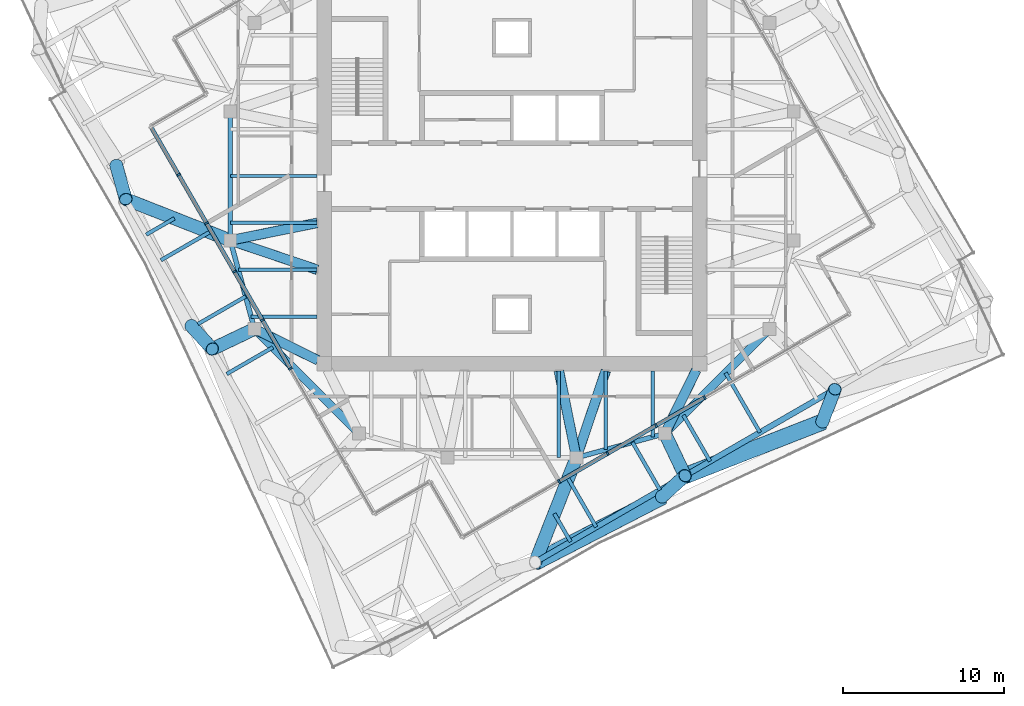
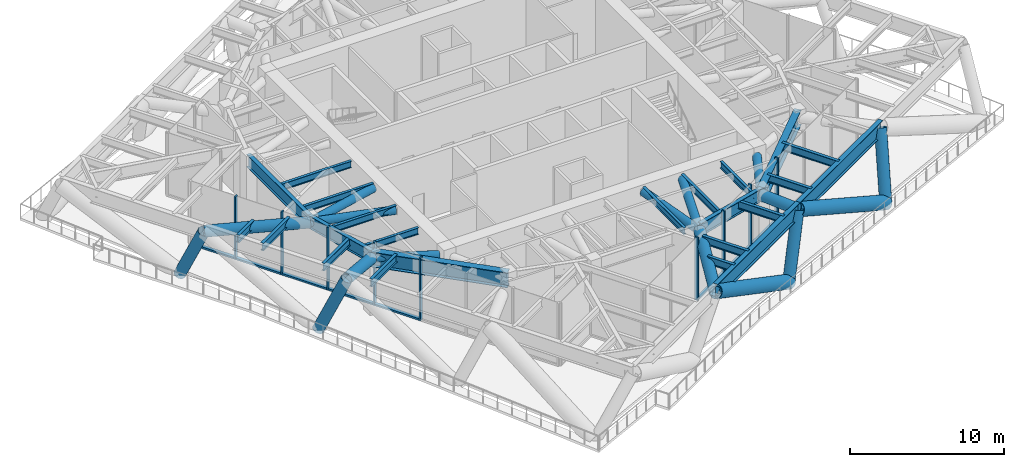
# One storey, part 2 of 12: 33 members, 23 beams, 2 elements without a shape of their own.
"""IFC4 building model written with IfcOpenShell, lengths in metres."""

from ifc_helpers import new_model, si_unit, direction, frame, origin, origin_2d, place, context, subcontext, project, spatial, rectangle, hollow_circle, i_section, extrude, material, material_profile, profile_set, type_object, element, aggregate, save


model = new_model("IFC4")

# Units and contexts
model_context = context("Model", 3, precision=1e-05, world=origin(), true_north=direction((0.0, 1.0)))
body_context = subcontext(model_context, "Body", "Model", "MODEL_VIEW")
ifc_project = project(units=[si_unit("LENGTHUNIT", "METRE"), si_unit("AREAUNIT", "SQUARE_METRE"), si_unit("VOLUMEUNIT", "CUBIC_METRE"), si_unit("PLANEANGLEUNIT", "RADIAN"), si_unit("MASSUNIT", "GRAM", prefix="KILO")], contexts=[model_context])

# Site, building, storey
site_placement = place(None, origin())
site = spatial("IfcSite", under=ifc_project, at=site_placement, CompositionType="ELEMENT")
building_placement = place(site_placement, origin())
building = spatial("IfcBuilding", under=site, at=building_placement, Name="Torsade Residences", CompositionType="ELEMENT")
storey_placement = place(building_placement, frame((0.0, 0.0, 203.199951171875)))
storey = spatial("IfcBuildingStorey", under=building, at=storey_placement, Name="L56", CompositionType="ELEMENT", Elevation=203.199951171875)

# Curtain wall, members
ifc_material_1 = material(Name="Aluminium and glass", Category="aluminium")
curtain_wall_type = type_object("IfcCurtainWallType", Name="TRANSFER LEVEL CURTAIN WALL HIGH ZONE", PredefinedType="NOTDEFINED", material=ifc_material_1)
curtain_wall_1_placement = place(storey_placement, origin())
curtain_wall_1 = element("IfcCurtainWall", 1, at=curtain_wall_1_placement, inside=storey, type_object=curtain_wall_type, Name="Curtain wall L56 face 1", PredefinedType="NOTDEFINED")
ifc_material_2 = material(Name="Aluminium mullion", Category="aluminium")
ifc_material_profile_1 = material_profile(ifc_material_2, rectangle(XDim=0.25, YDim=0.1201171875, at=origin_2d()), Name="HIGH ZONE TRANSFER CURTAIN WALL MULLION 250x120")
ifc_profile_set_1 = profile_set([ifc_material_profile_1], Name="Aluminium mullion")
member_type_1 = type_object("IfcMemberType", Name="HIGH ZONE TRANSFER CURTAIN WALL MULLION 250x120", PredefinedType="MULLION", material=ifc_profile_set_1)
member_1_placement = place(storey_placement, frame((42.93115234375, 11.023193359375, 0.0), z_axis=(0.0, 0.0, 1.0), x_axis=(-0.500000003507, 0.86602540176, 0.0)))
member_1 = element("IfcMember", 2, at=member_1_placement, type_object=member_type_1, Name="Mullion 3", PredefinedType="MULLION", context=body_context, shape_type="SweptSolid", body=[
    extrude(rectangle(XDim=0.25, YDim=0.1201171875, at=origin_2d()), origin(), (0.0, 0.0, 1.0), 5.0),
])
member_2_placement = place(storey_placement, frame((45.940673828125, 12.7607421875, 0.0), z_axis=(0.0, 0.0, 1.0), x_axis=(-0.500000003507, 0.86602540176, 0.0)))
member_2 = element("IfcMember", 3, at=member_2_placement, type_object=member_type_1, Name="Mullion 4", PredefinedType="MULLION", context=body_context, shape_type="SweptSolid", body=[
    extrude(rectangle(XDim=0.25, YDim=0.1201171875, at=origin_2d()), origin(), (0.0, 0.0, 1.0), 5.0),
])
member_3_placement = place(storey_placement, frame((48.949951171875, 14.498046875, 0.0), z_axis=(0.0, 0.0, 1.0), x_axis=(-0.500000003507, 0.86602540176, 0.0)))
member_3 = element("IfcMember", 4, at=member_3_placement, type_object=member_type_1, Name="Mullion 5", PredefinedType="MULLION", context=body_context, shape_type="SweptSolid", body=[
    extrude(rectangle(XDim=0.25, YDim=0.1201171875, at=origin_2d()), origin(), (0.0, 0.0, 1.0), 5.0),
])
member_4_placement = place(storey_placement, frame((51.95947265625, 16.235595703125, 0.0), z_axis=(0.0, 0.0, 1.0), x_axis=(-0.500000003507, 0.86602540176, 0.0)))
member_4 = element("IfcMember", 5, at=member_4_placement, type_object=member_type_1, Name="Mullion 6", PredefinedType="MULLION", context=body_context, shape_type="SweptSolid", body=[
    extrude(rectangle(XDim=0.25, YDim=0.1201171875, at=origin_2d()), origin(), (0.0, 0.0, 1.0), 5.0),
])

curtain_wall_2_placement = place(storey_placement, origin())
curtain_wall_2 = element("IfcCurtainWall", 6, at=curtain_wall_2_placement, inside=storey, type_object=curtain_wall_type, Name="Curtain wall L56 face 10", PredefinedType="NOTDEFINED")
member_5_placement = place(storey_placement, frame((19.28564453125, 30.078369140625, 0.0), z_axis=(0.0, 0.0, 1.0), x_axis=(0.86602540176, 0.500000003507, 0.0)))
member_5 = element("IfcMember", 7, at=member_5_placement, type_object=member_type_1, Name="Mullion 2", PredefinedType="MULLION", context=body_context, shape_type="SweptSolid", body=[
    extrude(rectangle(XDim=0.25, YDim=0.1201171875, at=origin_2d()), origin(), (0.0, 0.0, 1.0), 5.0),
])
member_6_placement = place(storey_placement, frame((21.023193359375, 27.06884765625, 0.0), z_axis=(0.0, 0.0, 1.0), x_axis=(0.86602540176, 0.500000003507, 0.0)))
member_6 = element("IfcMember", 8, at=member_6_placement, type_object=member_type_1, Name="Mullion 3", PredefinedType="MULLION", context=body_context, shape_type="SweptSolid", body=[
    extrude(rectangle(XDim=0.25, YDim=0.1201171875, at=origin_2d()), origin(), (0.0, 0.0, 1.0), 5.0),
])
member_7_placement = place(storey_placement, frame((22.7607421875, 24.059326171875, 0.0), z_axis=(0.0, 0.0, 1.0), x_axis=(0.86602540176, 0.500000003507, 0.0)))
member_7 = element("IfcMember", 9, at=member_7_placement, type_object=member_type_1, Name="Mullion 4", PredefinedType="MULLION", context=body_context, shape_type="SweptSolid", body=[
    extrude(rectangle(XDim=0.25, YDim=0.1201171875, at=origin_2d()), origin(), (0.0, 0.0, 1.0), 5.0),
])
member_8_placement = place(storey_placement, frame((24.498046875, 21.050048828125, 0.0), z_axis=(0.0, 0.0, 1.0), x_axis=(0.86602540176, 0.500000003507, 0.0)))
member_8 = element("IfcMember", 10, at=member_8_placement, type_object=member_type_1, Name="Mullion 5", PredefinedType="MULLION", context=body_context, shape_type="SweptSolid", body=[
    extrude(rectangle(XDim=0.25, YDim=0.1201171875, at=origin_2d()), origin(), (0.0, 0.0, 1.0), 5.0),
])
member_9_placement = place(storey_placement, frame((26.235595703125, 18.04052734375, 0.0), z_axis=(0.0, 0.0, 1.0), x_axis=(0.86602540176, 0.500000003507, 0.0)))
member_9 = element("IfcMember", 11, at=member_9_placement, type_object=member_type_1, Name="Mullion 6", PredefinedType="MULLION", context=body_context, shape_type="SweptSolid", body=[
    extrude(rectangle(XDim=0.25, YDim=0.1201171875, at=origin_2d()), origin(), (0.0, 0.0, 1.0), 5.0),
])

# Member
ifc_material_3 = material(Name="Aluminium transom", Category="aluminium")
ifc_material_profile_2 = material_profile(ifc_material_3, rectangle(XDim=0.25, YDim=0.139892578125, at=origin_2d()), Name="HIGH ZONE TRANSFER CURTAIN WALL TRANSOM 250x140")
ifc_profile_set_2 = profile_set([ifc_material_profile_2], Name="Aluminium transom")
member_type_2 = type_object("IfcMemberType", Name="HIGH ZONE TRANSFER CURTAIN WALL TRANSOM 250x140", PredefinedType="USERDEFINED", material=ifc_profile_set_2)
member_10_placement = place(storey_placement, frame((42.983154296875, 11.05322265625, 0.070068359375), z_axis=(0.866026839176, 0.499997513821, 0.0), x_axis=(-0.499997513821, 0.866026839176, 0.0)))
member_10 = element("IfcMember", 12, at=member_10_placement, type_object=member_type_2, Name="Transom 3.1", ObjectType="TRANSOM", PredefinedType="USERDEFINED", context=body_context, shape_type="SweptSolid", body=[
    extrude(rectangle(XDim=0.25, YDim=0.139892578125, at=origin_2d()), origin(), (0.0, 0.0, 1.0), 3.35498046875),
])

member_11_placement = place(storey_placement, frame((45.992431640625, 12.79052734375, 0.070068359375), z_axis=(0.865995328698, 0.50005208796, 0.0), x_axis=(-0.50005208796, 0.865995328698, 0.0)))
member_11 = element("IfcMember", 13, at=member_11_placement, type_object=member_type_2, Name="Transom 4.1", ObjectType="TRANSOM", PredefinedType="USERDEFINED", context=body_context, shape_type="SweptSolid", body=[
    extrude(rectangle(XDim=0.25, YDim=0.139892578125, at=origin_2d()), origin(), (0.0, 0.0, 1.0), 3.355224609375),
])

member_12_placement = place(storey_placement, frame((49.001953125, 14.528076171875, 0.070068359375), z_axis=(0.866026839176, 0.499997513821, 0.0), x_axis=(-0.499997513821, 0.866026839176, 0.0)))
member_12 = element("IfcMember", 14, at=member_12_placement, type_object=member_type_2, Name="Transom 5.1", ObjectType="TRANSOM", PredefinedType="USERDEFINED", context=body_context, shape_type="SweptSolid", body=[
    extrude(rectangle(XDim=0.25, YDim=0.139892578125, at=origin_2d()), origin(), (0.0, 0.0, 1.0), 3.35498046875),
])

aggregate(curtain_wall_1, [member_1, member_2, member_3, member_4, member_10, member_11, member_12])

member_13_placement = place(storey_placement, frame((17.608154296875, 32.98388671875, 0.070068359375), z_axis=(0.499996112969, -0.866027647951, 0.0), x_axis=(0.866027647951, 0.499996112969, 0.0)))
member_13 = element("IfcMember", 15, at=member_13_placement, type_object=member_type_2, Name="Transom 1.1", ObjectType="TRANSOM", PredefinedType="USERDEFINED", context=body_context, shape_type="SweptSolid", body=[
    extrude(rectangle(XDim=0.25, YDim=0.139892578125, at=origin_2d()), origin(), (0.0, 0.0, 1.0), 3.294921875),
])

member_14_placement = place(storey_placement, frame((19.315673828125, 30.0263671875, 0.070068359375), z_axis=(0.499997513821, -0.866026839176, 0.0), x_axis=(0.866026839176, 0.499997513821, 0.0)))
member_14 = element("IfcMember", 16, at=member_14_placement, type_object=member_type_2, Name="Transom 2.1", ObjectType="TRANSOM", PredefinedType="USERDEFINED", context=body_context, shape_type="SweptSolid", body=[
    extrude(rectangle(XDim=0.25, YDim=0.139892578125, at=origin_2d()), origin(), (0.0, 0.0, 1.0), 3.35498046875),
])

member_15_placement = place(storey_placement, frame((21.05322265625, 27.016845703125, 0.070068359375), z_axis=(0.499997513821, -0.866026839176, 0.0), x_axis=(0.866026839176, 0.499997513821, 0.0)))
member_15 = element("IfcMember", 17, at=member_15_placement, type_object=member_type_2, Name="Transom 3.1", ObjectType="TRANSOM", PredefinedType="USERDEFINED", context=body_context, shape_type="SweptSolid", body=[
    extrude(rectangle(XDim=0.25, YDim=0.139892578125, at=origin_2d()), origin(), (0.0, 0.0, 1.0), 3.35498046875),
])

member_16_placement = place(storey_placement, frame((22.79052734375, 24.007568359375, 0.070068359375), z_axis=(0.50005208796, -0.865995328698, 0.0), x_axis=(0.865995328698, 0.50005208796, 0.0)))
member_16 = element("IfcMember", 18, at=member_16_placement, type_object=member_type_2, Name="Transom 4.1", ObjectType="TRANSOM", PredefinedType="USERDEFINED", context=body_context, shape_type="SweptSolid", body=[
    extrude(rectangle(XDim=0.25, YDim=0.139892578125, at=origin_2d()), origin(), (0.0, 0.0, 1.0), 3.355224609375),
])

member_17_placement = place(storey_placement, frame((24.528076171875, 20.998046875, 0.070068359375), z_axis=(0.499997513821, -0.866026839176, 0.0), x_axis=(0.866026839176, 0.499997513821, 0.0)))
member_17 = element("IfcMember", 19, at=member_17_placement, type_object=member_type_2, Name="Transom 5.1", ObjectType="TRANSOM", PredefinedType="USERDEFINED", context=body_context, shape_type="SweptSolid", body=[
    extrude(rectangle(XDim=0.25, YDim=0.139892578125, at=origin_2d()), origin(), (0.0, 0.0, 1.0), 3.35498046875),
])

aggregate(curtain_wall_2, [member_5, member_6, member_7, member_8, member_9, member_13, member_14, member_15, member_16, member_17])

# Beams
ifc_material_4 = material(Name="Steel grade 300", Category="steel")
ifc_material_profile_3 = material_profile(ifc_material_4, i_section(OverallWidth=0.208984375, OverallDepth=0.528076171875, WebThickness=0.009521484375, FlangeThickness=0.01318359375, FilletRadius=0.013916015625, at=origin_2d()), Name="530UB82.0")
ifc_profile_set_3 = profile_set([ifc_material_profile_3], Name="Steel grade 300")
beam_type_1 = type_object("IfcBeamType", Name="INNER FLOOR BEAM 530UB82.0", PredefinedType="JOIST", material=ifc_profile_set_3)
beam_1_placement = place(storey_placement, frame((48.737548828125, 17.89990234375, 4.5859375), z_axis=(0.0, -1.0, 0.0), x_axis=(1.0, 0.0, 0.0)))
element("IfcBeam", 20, at=beam_1_placement, inside=storey, type_object=beam_type_1, Name="Inner floor beam IS01 L57", PredefinedType="JOIST", context=body_context, shape_type="SweptSolid", body=[
    extrude(i_section(OverallWidth=0.208984375, OverallDepth=0.528076171875, WebThickness=0.009521484375, FlangeThickness=0.01318359375, FilletRadius=0.013916015625, at=origin_2d()), origin(), (0.0, 0.0, 1.0), 4.10791015625),
])
beam_2_placement = place(storey_placement, frame((45.824951171875, 17.89990234375, 4.5859375), z_axis=(0.0, -1.0, 0.0), x_axis=(1.0, 0.0, 0.0)))
element("IfcBeam", 21, at=beam_2_placement, inside=storey, type_object=beam_type_1, Name="Inner floor beam IS02 L57", PredefinedType="JOIST", context=body_context, shape_type="SweptSolid", body=[
    extrude(i_section(OverallWidth=0.208984375, OverallDepth=0.528076171875, WebThickness=0.009521484375, FlangeThickness=0.01318359375, FilletRadius=0.013916015625, at=origin_2d()), origin(), (0.0, 0.0, 1.0), 4.902099609375),
])
for number, where, z_axis, x_axis, name in (
    (22, (42.91259765625, 17.89990234375, 4.5859375), (0.0, -1.0, 0.0), (1.0, 0.0, 0.0), "Inner floor beam IS03 L57"),
    (23, (27.89990234375, 30.0, 4.5859375), (-1.0, 0.0, 0.0), (0.0, -1.0, 0.0), "Inner floor beam IW04 L57"),
    (24, (27.89990234375, 27.08740234375, 4.5859375), (-1.0, 0.0, 0.0), (0.0, -1.0, 0.0), "Inner floor beam IW05 L57"),
):
    element("IfcBeam", number, at=place(storey_placement, frame(where, z_axis=z_axis, x_axis=x_axis)), inside=storey, type_object=beam_type_1, Name=name, PredefinedType="JOIST", context=body_context, shape_type="SweptSolid", body=[
        extrude(i_section(OverallWidth=0.208984375, OverallDepth=0.528076171875, WebThickness=0.009521484375, FlangeThickness=0.01318359375, FilletRadius=0.013916015625, at=origin_2d()), origin(), (0.0, 0.0, 1.0), 5.39990234375),
    ])
beam_3_placement = place(storey_placement, frame((27.89990234375, 24.175048828125, 4.5859375), z_axis=(-1.0, 0.0, 0.0), x_axis=(0.0, -1.0, 0.0)))
element("IfcBeam", 25, at=beam_3_placement, inside=storey, type_object=beam_type_1, Name="Inner floor beam IW06 L57", PredefinedType="JOIST", context=body_context, shape_type="SweptSolid", body=[
    extrude(i_section(OverallWidth=0.208984375, OverallDepth=0.528076171875, WebThickness=0.009521484375, FlangeThickness=0.01318359375, FilletRadius=0.013916015625, at=origin_2d()), origin(), (0.0, 0.0, 1.0), 4.902099609375),
])
beam_4_placement = place(storey_placement, frame((27.89990234375, 21.262451171875, 4.5859375), z_axis=(-1.0, 0.0, 0.0), x_axis=(0.0, -1.0, 0.0)))
element("IfcBeam", 26, at=beam_4_placement, inside=storey, type_object=beam_type_1, Name="Inner floor beam IW07 L57", PredefinedType="JOIST", context=body_context, shape_type="SweptSolid", body=[
    extrude(i_section(OverallWidth=0.208984375, OverallDepth=0.528076171875, WebThickness=0.009521484375, FlangeThickness=0.01318359375, FilletRadius=0.013916015625, at=origin_2d()), origin(), (0.0, 0.0, 1.0), 4.10791015625),
])
ifc_material_5 = material(Name="Steel grade 300", Category="steel")
ifc_material_profile_4 = material_profile(ifc_material_5, i_section(OverallWidth=0.5, OverallDepth=1.199951171875, WebThickness=0.01611328125, FlangeThickness=0.0400390625, at=origin_2d()), Name="1200WB455")
ifc_profile_set_4 = profile_set([ifc_material_profile_4], Name="Steel grade 300")
beam_type_2 = type_object("IfcBeamType", Name="RING CORNER GIRDER 1200WB455", PredefinedType="BEAM", material=ifc_profile_set_4)
for number, where, z_axis, x_axis, name in (
    (27, (24.0, 20.5, 4.25), (0.707106781187, -0.707106781187, 0.0), (0.707106781187, 0.707106781187, 0.0), "Ring girder IR11 L57"),
    (28, (49.5, 14.0, 4.25), (0.707106781187, 0.707106781187, 0.0), (-0.707106781187, 0.707106781187, 0.0), "Ring girder IR15 L57"),
):
    element("IfcBeam", number, at=place(storey_placement, frame(where, z_axis=z_axis, x_axis=x_axis)), inside=storey, type_object=beam_type_2, Name=name, PredefinedType="BEAM", context=body_context, shape_type="SweptSolid", body=[
        extrude(i_section(OverallWidth=0.5, OverallDepth=1.199951171875, WebThickness=0.01611328125, FlangeThickness=0.0400390625, at=origin_2d()), origin(), (0.0, 0.0, 1.0), 9.1923828125),
    ])
ifc_material_6 = material(Name="Steel grade 300", Category="steel")
ifc_material_profile_5 = material_profile(ifc_material_6, i_section(OverallWidth=0.300048828125, OverallDepth=1.0, WebThickness=0.01611328125, FlangeThickness=0.028076171875, at=origin_2d()), Name="1000WB215")
ifc_profile_set_5 = profile_set([ifc_material_profile_5], Name="Steel grade 300")
beam_type_3 = type_object("IfcBeamType", Name="RING GIRDER 1000WB215", PredefinedType="BEAM", material=ifc_profile_set_5)
beam_5_placement = place(storey_placement, frame((22.5, 34.0, 4.35009765625), z_axis=(0.0, -1.0, 0.0), x_axis=(1.0, 0.0, 0.0)))
element("IfcBeam", 29, at=beam_5_placement, inside=storey, type_object=beam_type_3, Name="Ring girder IR09 L57", PredefinedType="BEAM", context=body_context, shape_type="SweptSolid", body=[
    extrude(i_section(OverallWidth=0.300048828125, OverallDepth=1.0, WebThickness=0.01611328125, FlangeThickness=0.028076171875, at=origin_2d()), origin(), (0.0, 0.0, 1.0), 8.0),
])
for number, where, z_axis, x_axis, name in (
    (30, (22.5, 26.0, 4.35009765625), (0.263117405792, -0.964763821238, 0.0), (0.964763821238, 0.263117405792, 0.0), "Ring girder IR10 L57"),
    (31, (44.0, 12.5, 4.35009765625), (0.964763821238, 0.263117405792, 0.0), (-0.263117405792, 0.964763821238, 0.0), "Ring girder IR14 L57"),
):
    element("IfcBeam", number, at=place(storey_placement, frame(where, z_axis=z_axis, x_axis=x_axis)), inside=storey, type_object=beam_type_3, Name=name, PredefinedType="BEAM", context=body_context, shape_type="SweptSolid", body=[
        extrude(i_section(OverallWidth=0.300048828125, OverallDepth=1.0, WebThickness=0.01611328125, FlangeThickness=0.028076171875, at=origin_2d()), origin(), (0.0, 0.0, 1.0), 5.700927734375),
    ])
ifc_material_7 = material(Name="Steel grade 300", Category="steel")
ifc_material_profile_6 = material_profile(ifc_material_7, i_section(OverallWidth=0.22900390625, OverallDepth=0.612060546875, WebThickness=0.011962890625, FlangeThickness=0.01953125, FilletRadius=0.013916015625, at=origin_2d()), Name="610UB125")
ifc_profile_set_6 = profile_set([ifc_material_profile_6], Name="Steel grade 300")
beam_type_4 = type_object("IfcBeamType", Name="SECONDARY BEAM 610UB125", PredefinedType="JOIST", material=ifc_profile_set_6)
beam_6_placement = place(storey_placement, frame((43.641357421875, 7.2763671875, 4.5439453125), z_axis=(-0.500050131373, 0.865996458488, 0.0), x_axis=(-0.865996458488, -0.500050131373, 0.0)))
element("IfcBeam", 32, at=beam_6_placement, inside=storey, type_object=beam_type_4, Name="Floor beam FS04 L57", PredefinedType="JOIST", context=body_context, shape_type="SweptSolid", body=[
    extrude(i_section(OverallWidth=0.22900390625, OverallDepth=0.612060546875, WebThickness=0.011962890625, FlangeThickness=0.01953125, FilletRadius=0.013916015625, at=origin_2d()), origin(), (0.0, 0.0, 1.0), 2.020751953125),
])
beam_7_placement = place(storey_placement, frame((45.22900390625, 8.19287109375, 4.5439453125), z_axis=(-0.499973559465, 0.866040668696, 0.0), x_axis=(-0.866040668696, -0.499973559465, 0.0)))
element("IfcBeam", 33, at=beam_7_placement, inside=storey, type_object=beam_type_4, Name="Floor beam FS05 L57", PredefinedType="JOIST", context=body_context, shape_type="SweptSolid", body=[
    extrude(i_section(OverallWidth=0.22900390625, OverallDepth=0.612060546875, WebThickness=0.011962890625, FlangeThickness=0.01953125, FilletRadius=0.013916015625, at=origin_2d()), origin(), (0.0, 0.0, 1.0), 3.478759765625),
])
beam_8_placement = place(storey_placement, frame((49.198486328125, 10.484619140625, 4.5439453125), z_axis=(-0.500041249073, 0.866001587311, 0.0), x_axis=(-0.866001587311, -0.500041249073, 0.0)))
element("IfcBeam", 34, at=beam_8_placement, inside=storey, type_object=beam_type_4, Name="Floor beam FS06 L57", PredefinedType="JOIST", context=body_context, shape_type="SweptSolid", body=[
    extrude(i_section(OverallWidth=0.22900390625, OverallDepth=0.612060546875, WebThickness=0.011962890625, FlangeThickness=0.01953125, FilletRadius=0.013916015625, at=origin_2d()), origin(), (0.0, 0.0, 1.0), 3.425048828125),
])
beam_9_placement = place(storey_placement, frame((52.301513671875, 12.2763671875, 4.5439453125), z_axis=(-0.499975512502, 0.866039541186, 0.0), x_axis=(-0.866039541186, -0.499975512502, 0.0)))
element("IfcBeam", 35, at=beam_9_placement, inside=storey, type_object=beam_type_4, Name="Floor beam FS07 L57", PredefinedType="JOIST", context=body_context, shape_type="SweptSolid", body=[
    extrude(i_section(OverallWidth=0.22900390625, OverallDepth=0.612060546875, WebThickness=0.011962890625, FlangeThickness=0.01953125, FilletRadius=0.013916015625, at=origin_2d()), origin(), (0.0, 0.0, 1.0), 3.312744140625),
])
beam_10_placement = place(storey_placement, frame((55.40478515625, 14.06787109375, 4.5439453125), z_axis=(-0.500004369671, 0.866022880939, 0.0), x_axis=(-0.866022880939, -0.500004369671, 0.0)))
element("IfcBeam", 36, at=beam_10_placement, inside=storey, type_object=beam_type_4, Name="Floor beam FS08 L57", PredefinedType="JOIST", context=body_context, shape_type="SweptSolid", body=[
    extrude(i_section(OverallWidth=0.22900390625, OverallDepth=0.612060546875, WebThickness=0.011962890625, FlangeThickness=0.01953125, FilletRadius=0.013916015625, at=origin_2d()), origin(), (0.0, 0.0, 1.0), 4.27294921875),
])
beam_11_placement = place(storey_placement, frame((17.2763671875, 26.358642578125, 4.5439453125), z_axis=(0.865996458488, 0.500050131373, 0.0), x_axis=(-0.500050131373, 0.865996458488, 0.0)))
element("IfcBeam", 37, at=beam_11_placement, inside=storey, type_object=beam_type_4, Name="Floor beam FW04 L57", PredefinedType="JOIST", context=body_context, shape_type="SweptSolid", body=[
    extrude(i_section(OverallWidth=0.22900390625, OverallDepth=0.612060546875, WebThickness=0.011962890625, FlangeThickness=0.01953125, FilletRadius=0.013916015625, at=origin_2d()), origin(), (0.0, 0.0, 1.0), 2.020751953125),
])
beam_12_placement = place(storey_placement, frame((18.19287109375, 24.77099609375, 4.5439453125), z_axis=(0.866040668696, 0.499973559465, 0.0), x_axis=(-0.499973559465, 0.866040668696, 0.0)))
element("IfcBeam", 38, at=beam_12_placement, inside=storey, type_object=beam_type_4, Name="Floor beam FW05 L57", PredefinedType="JOIST", context=body_context, shape_type="SweptSolid", body=[
    extrude(i_section(OverallWidth=0.22900390625, OverallDepth=0.612060546875, WebThickness=0.011962890625, FlangeThickness=0.01953125, FilletRadius=0.013916015625, at=origin_2d()), origin(), (0.0, 0.0, 1.0), 3.478759765625),
])
beam_13_placement = place(storey_placement, frame((20.484619140625, 20.801513671875, 4.5439453125), z_axis=(0.866001587311, 0.500041249073, 0.0), x_axis=(-0.500041249073, 0.866001587311, 0.0)))
element("IfcBeam", 39, at=beam_13_placement, inside=storey, type_object=beam_type_4, Name="Floor beam FW06 L57", PredefinedType="JOIST", context=body_context, shape_type="SweptSolid", body=[
    extrude(i_section(OverallWidth=0.22900390625, OverallDepth=0.612060546875, WebThickness=0.011962890625, FlangeThickness=0.01953125, FilletRadius=0.013916015625, at=origin_2d()), origin(), (0.0, 0.0, 1.0), 3.425048828125),
])
beam_14_placement = place(storey_placement, frame((22.2763671875, 17.698486328125, 4.5439453125), z_axis=(0.866039541186, 0.499975512502, 0.0), x_axis=(-0.499975512502, 0.866039541186, 0.0)))
element("IfcBeam", 40, at=beam_14_placement, inside=storey, type_object=beam_type_4, Name="Floor beam FW07 L57", PredefinedType="JOIST", context=body_context, shape_type="SweptSolid", body=[
    extrude(i_section(OverallWidth=0.22900390625, OverallDepth=0.612060546875, WebThickness=0.011962890625, FlangeThickness=0.01953125, FilletRadius=0.013916015625, at=origin_2d()), origin(), (0.0, 0.0, 1.0), 3.312744140625),
])

# Members
ifc_material_8 = material(Name="Steel grade 450", Category="steel")
ifc_material_profile_7 = material_profile(ifc_material_8, hollow_circle(Radius=0.304931640625, WallThickness=0.01611328125, at=origin_2d()), Name="610.0x16.0CHS")
ifc_profile_set_7 = profile_set([ifc_material_profile_7], Name="Steel grade 450")
member_type_3 = type_object("IfcMemberType", Name="TRANSFER FLOOR BRACE 610.0x16.0CHS", PredefinedType="BRACE", material=ifc_profile_set_7)
member_18_placement = place(storey_placement, frame((22.5, 26.0, 4.25), z_axis=(0.97976207845, 0.197299045909, 0.03375434957), x_axis=(-0.197411538983, 0.980320704809, 0.0)))
element("IfcMember", 41, at=member_18_placement, inside=storey, type_object=member_type_3, Name="Transfer floor brace TT6 top IR10IW05", PredefinedType="BRACE", context=body_context, shape_type="SweptSolid", body=[
    extrude(hollow_circle(Radius=0.304931640625, WallThickness=0.01611328125, at=origin_2d()), origin(), (0.0, 0.0, 1.0), 5.511474609375),
])
member_19_placement = place(storey_placement, frame((22.5, 26.0, 4.25), z_axis=(0.946855969774, -0.319999474368, 0.032620682203), x_axis=(0.320169867513, 0.947360151124, 0.0)))
element("IfcMember", 42, at=member_19_placement, inside=storey, type_object=member_type_3, Name="Transfer floor brace TT6 top IR10IW06", PredefinedType="BRACE", context=body_context, shape_type="SweptSolid", body=[
    extrude(hollow_circle(Radius=0.304931640625, WallThickness=0.01611328125, at=origin_2d()), origin(), (0.0, 0.0, 1.0), 5.702880859375),
])
member_20_placement = place(storey_placement, frame((24.0, 20.5, 4.25), z_axis=(0.896469701914, -0.443105036702, 0.0), x_axis=(0.443105036702, 0.896469701914, 0.0)))
element("IfcMember", 43, at=member_20_placement, inside=storey, type_object=member_type_3, Name="Transfer floor brace TT6 top IR11C", PredefinedType="BRACE", context=body_context, shape_type="SweptSolid", body=[
    extrude(hollow_circle(Radius=0.304931640625, WallThickness=0.01611328125, at=origin_2d()), origin(), (0.0, 0.0, 1.0), 4.40234375),
])
member_21_placement = place(storey_placement, frame((44.0, 12.5, 4.25), z_axis=(-0.197299045909, 0.97976207845, 0.03375434957), x_axis=(-0.980320704809, -0.197411538983, 0.0)))
element("IfcMember", 44, at=member_21_placement, inside=storey, type_object=member_type_3, Name="Transfer floor brace TT6 top IR14IS03", PredefinedType="BRACE", context=body_context, shape_type="SweptSolid", body=[
    extrude(hollow_circle(Radius=0.304931640625, WallThickness=0.01611328125, at=origin_2d()), origin(), (0.0, 0.0, 1.0), 5.511474609375),
])
member_22_placement = place(storey_placement, frame((44.0, 12.5, 4.25), z_axis=(0.319999474368, 0.946855969774, 0.032620682203), x_axis=(-0.947360151124, 0.320169867513, 0.0)))
element("IfcMember", 45, at=member_22_placement, inside=storey, type_object=member_type_3, Name="Transfer floor brace TT6 top IR14IS02", PredefinedType="BRACE", context=body_context, shape_type="SweptSolid", body=[
    extrude(hollow_circle(Radius=0.304931640625, WallThickness=0.01611328125, at=origin_2d()), origin(), (0.0, 0.0, 1.0), 5.702880859375),
])
member_23_placement = place(storey_placement, frame((49.5, 14.0, 4.25), z_axis=(0.443105036702, 0.896469701914, 0.0), x_axis=(-0.896469701914, 0.443105036702, 0.0)))
element("IfcMember", 46, at=member_23_placement, inside=storey, type_object=member_type_3, Name="Transfer floor brace TT6 top IR15C", PredefinedType="BRACE", context=body_context, shape_type="SweptSolid", body=[
    extrude(hollow_circle(Radius=0.304931640625, WallThickness=0.01611328125, at=origin_2d()), origin(), (0.0, 0.0, 1.0), 4.40234375),
])
ifc_material_9 = material(Name="Steel grade 450", Category="steel")
ifc_material_profile_8 = material_profile(ifc_material_9, hollow_circle(Radius=0.406494140625, WallThickness=0.02490234375, at=origin_2d()), Name="813.0x25.0CHS")
ifc_profile_set_8 = profile_set([ifc_material_profile_8], Name="Steel grade 450")
member_type_4 = type_object("IfcMemberType", Name="TRANSFER FLOOR STRUT 813.0x25.0CHS", PredefinedType="STRUT", material=ifc_profile_set_8)
member_24_placement = place(storey_placement, frame((41.440185546875, 6.00537109375, 4.25), z_axis=(0.366688728668, 0.930343687176, 0.0), x_axis=(-0.930343687176, 0.366688728668, 0.0)))
element("IfcMember", 47, at=member_24_placement, inside=storey, type_object=member_type_4, Name="Transfer floor strut TT6 top 02IR14", PredefinedType="STRUT", context=body_context, shape_type="SweptSolid", body=[
    extrude(hollow_circle(Radius=0.406494140625, WallThickness=0.02490234375, at=origin_2d()), origin(), (0.0, 0.0, 1.0), 6.98095703125),
])
member_25_placement = place(storey_placement, frame((50.75, 11.38037109375, 4.25), z_axis=(-0.430651736204, 0.902518189348, 0.0), x_axis=(-0.902518189348, -0.430651736204, 0.0)))
element("IfcMember", 48, at=member_25_placement, inside=storey, type_object=member_type_4, Name="Transfer floor strut TT6 top 03IR15", PredefinedType="STRUT", context=body_context, shape_type="SweptSolid", body=[
    extrude(hollow_circle(Radius=0.406494140625, WallThickness=0.02490234375, at=origin_2d()), origin(), (0.0, 0.0, 1.0), 2.902587890625),
])
member_26_placement = place(storey_placement, frame((16.00537109375, 28.559814453125, 4.25), z_axis=(0.930343687176, -0.366688728668, 0.0), x_axis=(0.366688728668, 0.930343687176, 0.0)))
element("IfcMember", 49, at=member_26_placement, inside=storey, type_object=member_type_4, Name="Transfer floor strut TT6 top 14IR10", PredefinedType="STRUT", context=body_context, shape_type="SweptSolid", body=[
    extrude(hollow_circle(Radius=0.406494140625, WallThickness=0.02490234375, at=origin_2d()), origin(), (0.0, 0.0, 1.0), 6.98095703125),
])
member_27_placement = place(storey_placement, frame((21.38037109375, 19.25, 4.25), z_axis=(0.902518189348, 0.430651736204, 0.0), x_axis=(-0.430651736204, 0.902518189348, 0.0)))
element("IfcMember", 50, at=member_27_placement, inside=storey, type_object=member_type_4, Name="Transfer floor strut TT6 top 15IR11", PredefinedType="STRUT", context=body_context, shape_type="SweptSolid", body=[
    extrude(hollow_circle(Radius=0.406494140625, WallThickness=0.02490234375, at=origin_2d()), origin(), (0.0, 0.0, 1.0), 2.902587890625),
])

# Beams
ifc_material_10 = material(Name="Steel grade 350", Category="steel")
ifc_material_profile_9 = material_profile(ifc_material_10, i_section(OverallWidth=0.35009765625, OverallDepth=1.199951171875, WebThickness=0.01611328125, FlangeThickness=0.028076171875, at=origin_2d()), Name="1200WB278")
ifc_profile_set_9 = profile_set([ifc_material_profile_9], Name="Steel grade 350")
beam_type_5 = type_object("IfcBeamType", Name="TRANSFER TRUSS CHORD 1200WB278", PredefinedType="USERDEFINED", material=ifc_profile_set_9)
for number, where, z_axis, x_axis, name in (
    (51, (41.440185546875, 6.00537109375, 4.25), (0.866026365697, 0.499998333915, 0.0), (-0.499998333915, 0.866026365697, 0.0), "Transfer truss TT6 top chord 02"),
    (52, (50.75, 11.38037109375, 4.25), (0.866026365697, 0.499998333915, 0.0), (-0.499998333915, 0.866026365697, 0.0), "Transfer truss TT6 top chord 03"),
):
    element("IfcBeam", number, at=place(storey_placement, frame(where, z_axis=z_axis, x_axis=x_axis)), inside=storey, type_object=beam_type_5, Name=name, ObjectType="TRANSFER TRUSS CHORD", PredefinedType="USERDEFINED", context=body_context, shape_type="SweptSolid", body=[
        extrude(i_section(OverallWidth=0.35009765625, OverallDepth=1.199951171875, WebThickness=0.01611328125, FlangeThickness=0.028076171875, at=origin_2d()), origin(), (0.0, 0.0, 1.0), 10.75),
    ])

# Members
ifc_material_11 = material(Name="Steel grade 450", Category="steel")
ifc_material_profile_10 = material_profile(ifc_material_11, hollow_circle(Radius=0.508056640625, WallThickness=0.031982421875, at=origin_2d()), Name="1016.0x32.0CHS")
ifc_profile_set_10 = profile_set([ifc_material_profile_10], Name="Steel grade 450")
member_type_5 = type_object("IfcMemberType", Name="TRANSFER TRUSS DIAGONAL 1016.0x32.0CHS", PredefinedType="BRACE", material=ifc_profile_set_10)
member_28_placement = place(storey_placement, frame((49.297607421875, 10.061279296875, -0.199951171875), z_axis=(-0.793753750819, -0.409726294505, 0.44953236441), x_axis=(0.458684413628, -0.888599239643, 0.0)))
element("IfcMember", 53, at=member_28_placement, inside=storey, type_object=member_type_5, Name="Transfer truss TT6 diagonal 02", PredefinedType="BRACE", context=body_context, shape_type="SweptSolid", body=[
    extrude(hollow_circle(Radius=0.508056640625, WallThickness=0.031982421875, at=origin_2d()), origin(), (0.0, 0.0, 1.0), 9.899169921875),
])
member_29_placement = place(storey_placement, frame((59.26708984375, 14.7099609375, -0.199951171875), z_axis=(-0.837471340129, -0.327393055572, 0.43755632966), x_axis=(0.364097343928, -0.931360898978, 0.0)))
element("IfcMember", 54, at=member_29_placement, inside=storey, type_object=member_type_5, Name="Transfer truss TT6 diagonal 03", PredefinedType="BRACE", context=body_context, shape_type="SweptSolid", body=[
    extrude(hollow_circle(Radius=0.508056640625, WallThickness=0.031982421875, at=origin_2d()), origin(), (0.0, 0.0, 1.0), 10.169921875),
])
ifc_material_12 = material(Name="Steel grade 450", Category="steel")
ifc_material_profile_11 = material_profile(ifc_material_12, hollow_circle(Radius=0.406494140625, WallThickness=0.02490234375, at=origin_2d()), Name="813.0x25.0CHS")
ifc_profile_set_11 = profile_set([ifc_material_profile_11], Name="Steel grade 450")
member_type_6 = type_object("IfcMemberType", Name="TRANSFER TRUSS RAKING STRUT 813.0x25.0CHS", PredefinedType="STRUT", material=ifc_profile_set_11)
member_30_placement = place(storey_placement, frame((49.297607421875, 10.061279296875, -0.199951171875), z_axis=(0.298644526006, 0.271234892253, 0.915009879898), x_axis=(-0.672319683766, 0.740260928877, 0.0)))
element("IfcMember", 55, at=member_30_placement, inside=storey, type_object=member_type_6, Name="Transfer truss TT6 raking strut 03", PredefinedType="STRUT", context=body_context, shape_type="SweptSolid", body=[
    extrude(hollow_circle(Radius=0.406494140625, WallThickness=0.02490234375, at=origin_2d()), origin(), (0.0, 0.0, 1.0), 4.86328125),
])
member_31_placement = place(storey_placement, frame((59.26708984375, 14.7099609375, -0.199951171875), z_axis=(0.159782661388, 0.412275681279, 0.896938271982), x_axis=(-0.93242177831, 0.361371868486, 0.0)))
element("IfcMember", 56, at=member_31_placement, inside=storey, type_object=member_type_6, Name="Transfer truss TT6 raking strut 04", PredefinedType="STRUT", context=body_context, shape_type="SweptSolid", body=[
    extrude(hollow_circle(Radius=0.406494140625, WallThickness=0.02490234375, at=origin_2d()), origin(), (0.0, 0.0, 1.0), 4.961181640625),
])
member_32_placement = place(storey_placement, frame((15.412353515625, 30.671875, -0.199951171875), z_axis=(0.119528576841, -0.425706759262, 0.896931811476), x_axis=(0.962769590451, 0.270323353971, 0.0)))
element("IfcMember", 57, at=member_32_placement, inside=storey, type_object=member_type_6, Name="Transfer truss TT6 raking strut 14", PredefinedType="STRUT", context=body_context, shape_type="SweptSolid", body=[
    extrude(hollow_circle(Radius=0.406494140625, WallThickness=0.02490234375, at=origin_2d()), origin(), (0.0, 0.0, 1.0), 4.96142578125),
])
member_33_placement = place(storey_placement, frame((20.061279296875, 20.702392578125, -0.199951171875), z_axis=(0.271234892253, -0.298644526006, 0.915009879898), x_axis=(0.740260928877, 0.672319683766, 0.0)))
element("IfcMember", 58, at=member_33_placement, inside=storey, type_object=member_type_6, Name="Transfer truss TT6 raking strut 15", PredefinedType="STRUT", context=body_context, shape_type="SweptSolid", body=[
    extrude(hollow_circle(Radius=0.406494140625, WallThickness=0.02490234375, at=origin_2d()), origin(), (0.0, 0.0, 1.0), 4.86328125),
])

save(model, "model.ifc")
